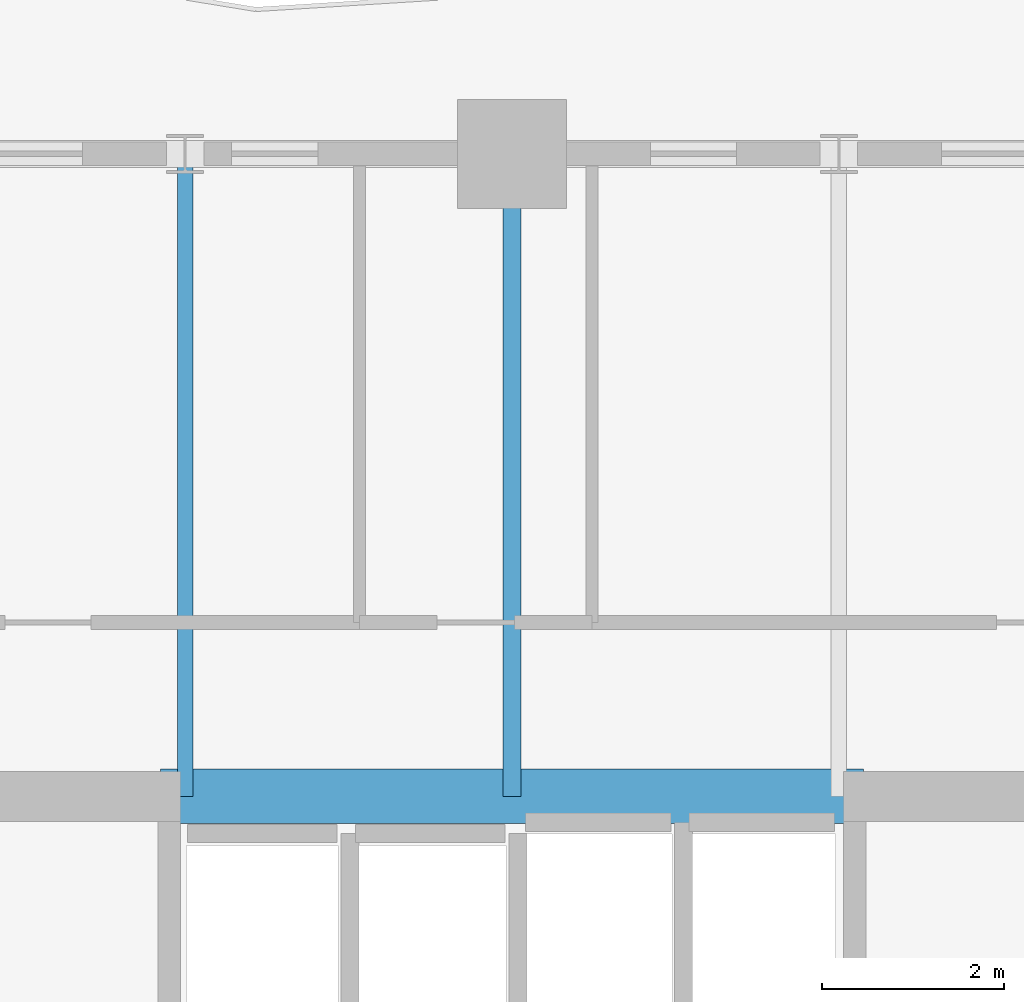
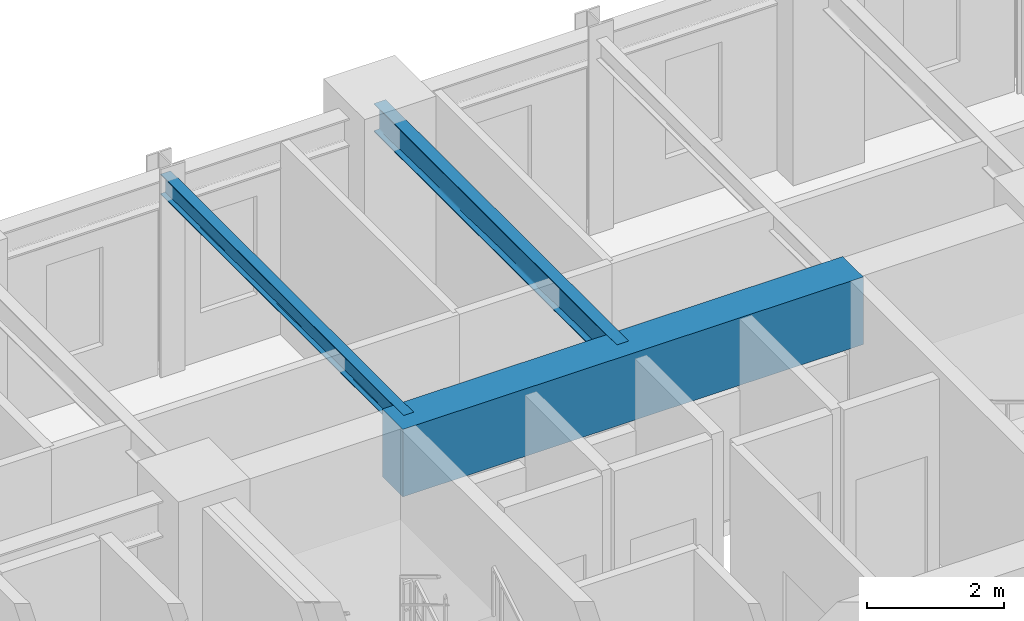
# One storey, part 7 of 18: 3 beams.
"""IFC4 building model written with IfcOpenShell, lengths in metres."""

from ifc_helpers import new_model, si_unit, direction, frame, origin, origin_2d, place, context, subcontext, project, spatial, rectangle, i_section, extrude, source, transform, mapped, material, material_profile, profile_set, type_object, element, save


model = new_model("IFC4")

# Units and contexts
model_context = context("Model", 3, precision=1e-05, world=origin(), true_north=direction((0.0, 1.0)))
body_context = subcontext(model_context, "Body", "Model", "MODEL_VIEW")
ifc_project = project(units=[si_unit("LENGTHUNIT", "METRE"), si_unit("AREAUNIT", "SQUARE_METRE"), si_unit("VOLUMEUNIT", "CUBIC_METRE"), si_unit("PLANEANGLEUNIT", "RADIAN"), si_unit("MASSUNIT", "GRAM", prefix="KILO")], contexts=[model_context])

# Site, building, storey
site_placement = place(None, origin())
site = spatial("IfcSite", under=ifc_project, at=site_placement, CompositionType="ELEMENT")
building_placement = place(site_placement, origin())
building = spatial("IfcBuilding", under=site, at=building_placement, Name="Kaliganga Portal Commons", CompositionType="ELEMENT")
storey_placement = place(building_placement, frame((0.0, 0.0, 93.39990234375)))
storey = spatial("IfcBuildingStorey", under=building, at=storey_placement, Name="L23", CompositionType="ELEMENT", Elevation=93.39990234375)

# Beams
ifc_material_1 = material(Name="Concrete C60/75", Category="concrete")
ifc_material_profile_1 = material_profile(ifc_material_1, rectangle(XDim=0.60009765625, YDim=1.199951171875, at=origin_2d()), Name="RC 600x1200")
ifc_profile_set_1 = profile_set([ifc_material_profile_1], Name="Concrete C60/75")
beam_type_1 = type_object("IfcBeamType", Name="BM-CPL-1200", PredefinedType="LINTEL", material=ifc_profile_set_1)
shared_shape_1 = source(origin(), body_context, "Body", "SweptSolid", [
    extrude(rectangle(XDim=0.60009765625, YDim=1.199951171875, at=origin_2d()), origin(), (0.0, 0.0, 1.0), 7.739990234375),
])
beam_1_placement = place(storey_placement, frame((17.72998046875, 36.125, 2.85009765625), z_axis=(1.0, 0.0, 0.0), x_axis=(0.0, 1.0, 0.0)))
element("IfcBeam", 1, at=beam_1_placement, inside=storey, type_object=beam_type_1, Name="BM CPL COREA L23 N", PredefinedType="LINTEL", context=body_context, shape_type="MappedRepresentation", body=[
    mapped(shared_shape_1, transform((0.0, 0.0, 0.0), x_axis=(1.0, 0.0, 0.0), y_axis=(0.0, 1.0, 0.0), z_axis=(0.0, 0.0, 1.0), scale=1.0)),
])
ifc_material_2 = material(Name="Structural steel S355J2", Category="steel")
ifc_material_profile_2 = material_profile(ifc_material_2, i_section(OverallWidth=0.169921875, OverallDepth=0.360107421875, WebThickness=0.008056640625, FlangeThickness=0.0126953125, FilletRadius=0.01806640625, at=origin_2d()), Name="IPE 360")
ifc_profile_set_2 = profile_set([ifc_material_profile_2], Name="Structural steel S355J2 wide-flange")
beam_type_2 = type_object("IfcBeamType", Name="BM-JST-360", PredefinedType="JOIST", material=ifc_profile_set_2)
shared_shape_2 = source(origin(), body_context, "Body", "SweptSolid", [
    extrude(i_section(OverallWidth=0.169921875, OverallDepth=0.360107421875, WebThickness=0.008056640625, FlangeThickness=0.0126953125, FilletRadius=0.01806640625, at=origin_2d()), origin(), (0.0, 0.0, 1.0), 7.074951171875),
])
beam_2_placement = place(storey_placement, frame((18.0, 36.125, 3.27001953125), z_axis=(0.0, 1.0, 0.0), x_axis=(-1.0, 0.0, 0.0)))
element("IfcBeam", 2, at=beam_2_placement, inside=storey, type_object=beam_type_2, Name="BM G L23 AN180", PredefinedType="JOIST", context=body_context, shape_type="MappedRepresentation", body=[
    mapped(shared_shape_2, transform((0.0, 0.0, 0.0), x_axis=(1.0, 0.0, 0.0), y_axis=(0.0, 1.0, 0.0), z_axis=(0.0, 0.0, 1.0), scale=1.0)),
])
ifc_material_profile_3 = material_profile(ifc_material_2, i_section(OverallWidth=0.199951171875, OverallDepth=0.5, WebThickness=0.01025390625, FlangeThickness=0.01611328125, FilletRadius=0.02099609375, at=origin_2d()), Name="IPE 500")
ifc_profile_set_3 = profile_set([ifc_material_profile_3], Name="Structural steel S355J2 wide-flange")
beam_type_3 = type_object("IfcBeamType", Name="BM-FLR-500", PredefinedType="BEAM", material=ifc_profile_set_3)
shared_shape_3 = source(origin(), body_context, "Body", "SweptSolid", [
    extrude(i_section(OverallWidth=0.199951171875, OverallDepth=0.5, WebThickness=0.01025390625, FlangeThickness=0.01611328125, FilletRadius=0.02099609375, at=origin_2d()), origin(), (0.0, 0.0, 1.0), 7.074951171875),
])
beam_3_placement = place(storey_placement, frame((21.60009765625, 36.125, 3.2001953125), z_axis=(0.0, 1.0, 0.0), x_axis=(-1.0, 0.0, 0.0)))
element("IfcBeam", 3, at=beam_3_placement, inside=storey, type_object=beam_type_3, Name="BM G L23 AN216", PredefinedType="BEAM", context=body_context, shape_type="MappedRepresentation", body=[
    mapped(shared_shape_3, transform((0.0, 0.0, 0.0), x_axis=(1.0, 0.0, 0.0), y_axis=(0.0, 1.0, 0.0), z_axis=(0.0, 0.0, 1.0), scale=1.0)),
])

save(model, "model.ifc")
